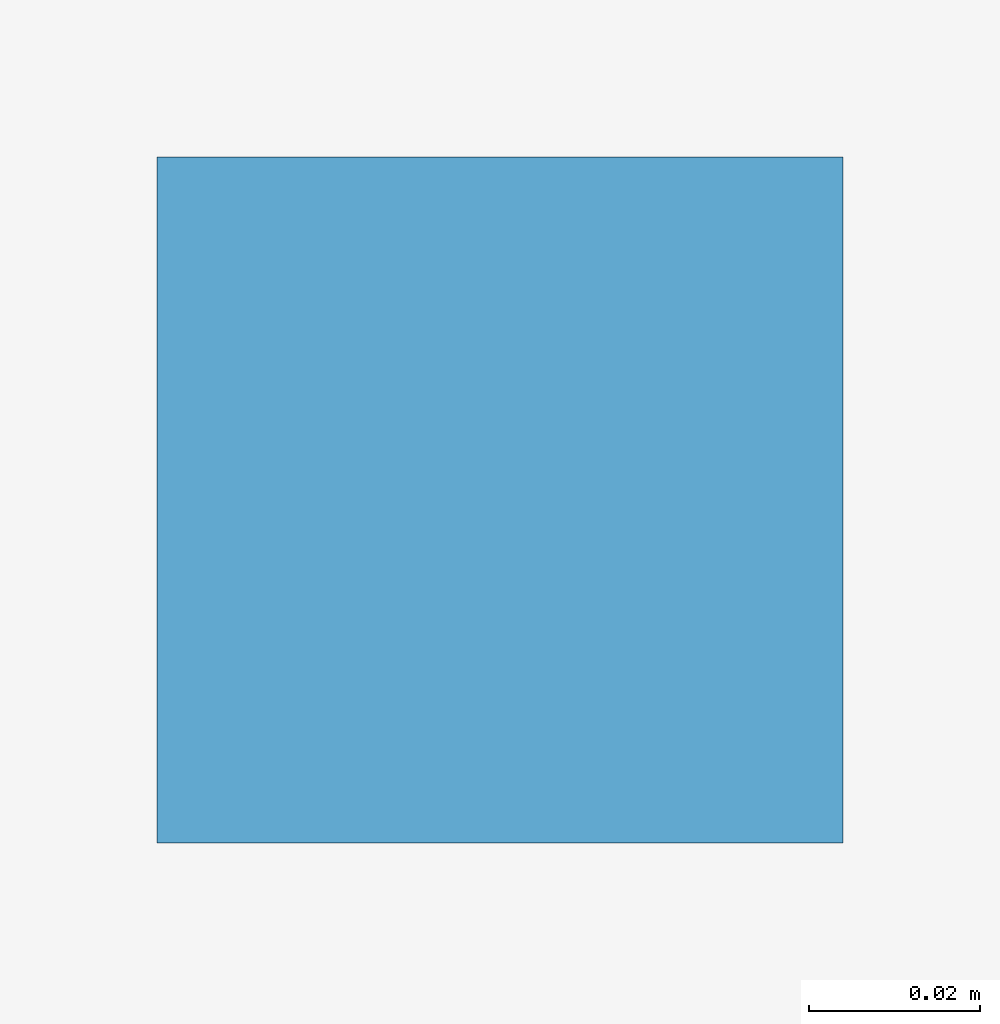
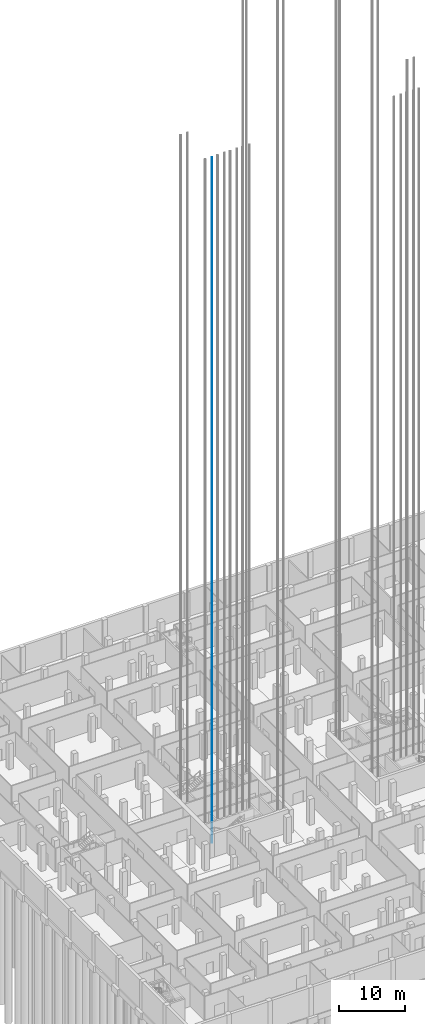
# One storey, part 25 of 54: 1 discrete accessory.
"""IFC4 building model written with IfcOpenShell, lengths in metres."""

from ifc_helpers import new_model, si_unit, direction, frame, origin, origin_2d, place, context, subcontext, project, spatial, rectangle, extrude, material, element, save


model = new_model("IFC4")

# Units and contexts
model_context = context("Model", 3, precision=1e-05, world=origin(), true_north=direction((0.0, 1.0)))
body_context = subcontext(model_context, "Body", "Model", "MODEL_VIEW")
ifc_project = project(units=[si_unit("LENGTHUNIT", "METRE"), si_unit("AREAUNIT", "SQUARE_METRE"), si_unit("VOLUMEUNIT", "CUBIC_METRE"), si_unit("PLANEANGLEUNIT", "RADIAN"), si_unit("MASSUNIT", "GRAM", prefix="KILO")], contexts=[model_context])

# Site, building, storey
site_placement = place(None, origin())
site = spatial("IfcSite", under=ifc_project, at=site_placement, CompositionType="ELEMENT")
building_placement = place(site_placement, origin())
building = spatial("IfcBuilding", under=site, at=building_placement, Name="Fustian Cross Tower", CompositionType="ELEMENT")
storey_placement = place(building_placement, frame((0.0, 0.0, -4.800048828125)))
storey = spatial("IfcBuildingStorey", under=building, at=storey_placement, Name="B1", CompositionType="ELEMENT", Elevation=-4.800048828125)

# Discrete accessory
ifc_material = material(Name="Steel S355", Category="steel")
discrete_accessory_placement = place(storey_placement, frame((-19.27490234375, -3.7099609375, 0.0), z_axis=(0.0, 0.0, 1.0), x_axis=(1.0, 0.0, 0.0)))
element("IfcDiscreteAccessory", 1, at=discrete_accessory_placement, inside=storey, material=ifc_material, Name="Lift guide rail SH1W 2", PredefinedType="NOTDEFINED", context=body_context, shape_type="SweptSolid", body=[
    extrude(rectangle(XDim=0.080078125, YDim=0.080078125, at=origin_2d()), origin(), (0.0, 0.0, 1.0), 127.14990234375),
])

save(model, "model.ifc")
